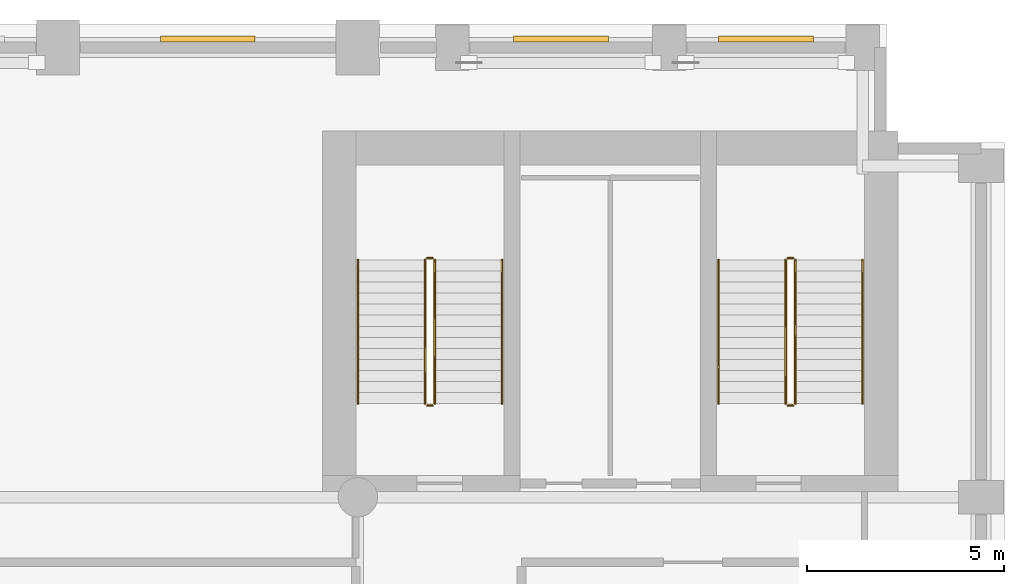
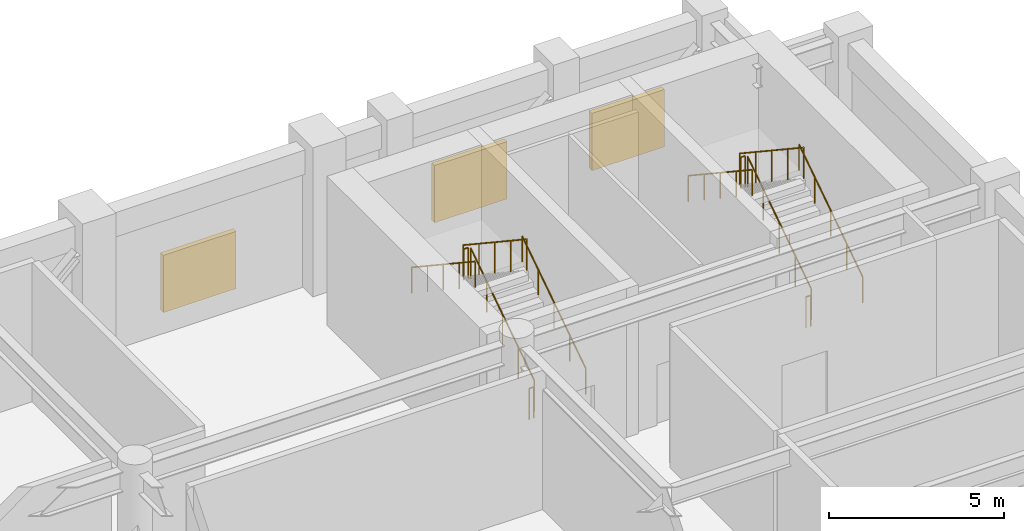
# One storey, part 11 of 11: 12 railings, 3 shading devices.
"""IFC4 building model written with IfcOpenShell, lengths in metres."""

import ifcopenshell
import ifcopenshell.guid

model = None  # the IFC model being written
_history = None  # IfcOwnerHistory: only IFC2X3 demands one
_inside = {}  # id of a spatial element -> (the spatial element, [elements in it])
_under = {}  # id of a project, library or spatial element -> (it, [spatial elements below it])
_declared = {}  # id of a project -> (the project, [libraries it declares])
_typed = {}  # id of a type object -> (the type object, [elements of that type])
_made_of = {}  # id of a material, layer set ... -> (it, [elements and type objects made of it])


def new_model(schema):
    """Start an empty IFC model of exactly this schema.

    Asked for "IFC4X3", IfcOpenShell would pick the latest addendum, in which some entities
    have other attributes; the version numbers below select the first issue.
    IFC2X3 requires an IfcOwnerHistory on every rooted entity: one is made here for all.
    """
    global model, _history
    if schema == "IFC4X3":
        model = ifcopenshell.file(schema_version=(4, 3, 0, 0))
    else:
        model = ifcopenshell.file(schema=schema)
    _inside.clear()
    _under.clear()
    _declared.clear()
    _typed.clear()
    _made_of.clear()
    _history = None
    if model.schema == "IFC2X3":
        org = make("IfcOrganization", Name="unknown")
        user = make(
            "IfcPersonAndOrganization",
            ThePerson=make("IfcPerson", FamilyName="unknown"),
            TheOrganization=org,
        )
        app = make(
            "IfcApplication",
            ApplicationDeveloper=org,
            Version="unknown",
            ApplicationFullName="unknown",
            ApplicationIdentifier="unknown",
        )
        _history = make(
            "IfcOwnerHistory",
            OwningUser=user,
            OwningApplication=app,
            ChangeAction="ADDED",
            CreationDate=0,
        )
    return model


def make(cls, **values):
    """One entity of the class cls with the attributes given. An attribute that is None is left unset."""
    return model.create_entity(
        cls, **{name: value for name, value in values.items() if value is not None}
    )


def rooted(cls, **values):
    """An entity with a GlobalId (a new one), such as an element, a storey or a relation."""
    return make(cls, GlobalId=ifcopenshell.guid.new(), OwnerHistory=_history, **values)


def si_unit(unit_type, name, prefix=None):
    """IfcSIUnit, for example si_unit("LENGTHUNIT", "METRE", prefix="MILLI")."""
    return make("IfcSIUnit", UnitType=unit_type, Prefix=prefix, Name=name)


def assignment(units):
    """IfcUnitAssignment: the units of a project."""
    return None if units is None else make("IfcUnitAssignment", Units=units)


def point(xyz):
    """IfcCartesianPoint."""
    return None if xyz is None else make("IfcCartesianPoint", Coordinates=xyz)


def direction(xyz):
    """IfcDirection."""
    return None if xyz is None else make("IfcDirection", DirectionRatios=xyz)


def frame(location, z_axis=None, x_axis=None):
    """IfcAxis2Placement3D, a coordinate frame: its origin and axes. An axis left out is left unset."""
    return make(
        "IfcAxis2Placement3D",
        Location=point(location),
        Axis=direction(z_axis),
        RefDirection=direction(x_axis),
    )


def frame_2d(location, x_axis=None):
    """IfcAxis2Placement2D, a coordinate frame in the plane: its origin and x axis."""
    return make(
        "IfcAxis2Placement2D", Location=point(location), RefDirection=direction(x_axis)
    )


def origin():
    """The frame at (0, 0, 0) with its axes left unset."""
    return frame((0.0, 0.0, 0.0))


def origin_2d():
    """The frame at (0, 0) in the plane with its x axis left unset."""
    return frame_2d((0.0, 0.0))


def place(relative_to, where):
    """IfcLocalPlacement: puts the frame where relative to a parent placement (None: the world)."""
    return make(
        "IfcLocalPlacement", PlacementRelTo=relative_to, RelativePlacement=where
    )


def context(
    kind, dimensions, precision=None, world=None, true_north=None, identifier=None
):
    """IfcGeometricRepresentationContext, for example the 3D "Model" context."""
    return make(
        "IfcGeometricRepresentationContext",
        ContextIdentifier=identifier,
        ContextType=kind,
        CoordinateSpaceDimension=dimensions,
        Precision=precision,
        WorldCoordinateSystem=world,
        TrueNorth=true_north,
    )


def subcontext(parent, identifier, kind, view, scale=None):
    """IfcGeometricRepresentationSubContext, for example "Body" below "Model"."""
    return make(
        "IfcGeometricRepresentationSubContext",
        ContextIdentifier=identifier,
        ContextType=kind,
        ParentContext=parent,
        TargetScale=scale,
        TargetView=view,
    )


def project(units=None, contexts=None):
    """IfcProject with its units and contexts."""
    return rooted(
        "IfcProject",
        Name="project",
        RepresentationContexts=contexts,
        UnitsInContext=assignment(units),
    )


def spatial(cls, under=None, at=None, **own):
    """A site, building, storey or space (cls), placed at a placement, below another one or the project."""
    s = rooted(cls, ObjectPlacement=at, **own)
    if under is not None:
        _under.setdefault(under.id(), (under, []))[1].append(s)
    return s


def profile(cls, at=None, kind="AREA", **sizes):
    """A parametric profile (cls). Its sizes go by their IFC names, for example OverallWidth=200.0."""
    return make(cls, ProfileType=kind, Position=at, **sizes)


def rectangle(**sizes):
    """IfcRectangleProfileDef."""
    return profile("IfcRectangleProfileDef", **sizes)


def circle(**sizes):
    """IfcCircleProfileDef."""
    return profile("IfcCircleProfileDef", **sizes)


def extrude(swept, where, along, depth):
    """IfcExtrudedAreaSolid: the profile swept, set in the frame where, extruded along a direction by depth."""
    return make(
        "IfcExtrudedAreaSolid",
        SweptArea=swept,
        Position=where,
        ExtrudedDirection=direction(along),
        Depth=depth,
    )


def shape(context_of_items, identifier, shape_type, items):
    """IfcShapeRepresentation: the items that make up one representation, for example the "Body"."""
    return make(
        "IfcShapeRepresentation",
        ContextOfItems=context_of_items,
        RepresentationIdentifier=identifier,
        RepresentationType=shape_type,
        Items=items,
    )


def material(Name=None, Category=None):
    """IfcMaterial."""
    return make("IfcMaterial", Name=Name, Category=Category)


def made_of(thing, what):
    """Note that an element or type object is made of a material, layer set ...; save() writes the relation."""
    if what is not None:
        _made_of.setdefault(what.id(), (what, []))[1].append(thing)
    return thing


def type_object(cls, material=None, **own):
    """A type object (cls), such as IfcWallType, which elements share."""
    return made_of(rooted(cls, **own), material)


def element(
    cls,
    number,
    at=None,
    inside=None,
    cuts=None,
    type_object=None,
    material=None,
    context=None,
    identifier="Body",
    shape_type=None,
    held_by="IfcProductDefinitionShape",
    body=None,
    shapes=None,
    **own,
):
    """One element of the class cls, such as IfcWall. Its Tag is "e" and its number.

    at: its placement. inside: the storey or other place that contains it. cuts: it is an
    opening in that element (IfcRelVoidsElement). A single representation is given by context,
    identifier, shape_type and body (its items); several are given by shapes. held_by: the class
    of the entity that holds the representations. save() writes the other relations.
    """
    e = rooted(cls, Tag="e%d" % number, ObjectPlacement=at, **own)
    if body is not None:
        shapes = [shape(context, identifier, shape_type, body)]
    if shapes is not None:
        e.Representation = make(held_by, Representations=shapes)
    if inside is not None:
        _inside.setdefault(inside.id(), (inside, []))[1].append(e)
    if cuts is not None:
        rooted(
            "IfcRelVoidsElement", RelatingBuildingElement=cuts, RelatedOpeningElement=e
        )
    if type_object is not None:
        _typed.setdefault(type_object.id(), (type_object, []))[1].append(e)
    return made_of(e, material)


def aggregate(whole, parts):
    """IfcRelAggregates: a whole, such as a stair, and the parts it consists of."""
    return rooted("IfcRelAggregates", RelatingObject=whole, RelatedObjects=parts)


def save(model, path):
    """Write the relations noted so far, then the file.

    IfcRelAggregates (storeys below a building ...), IfcRelContainedInSpatialStructure (elements
    in a storey), IfcRelDefinesByType, IfcRelAssociatesMaterial and IfcRelDeclares: one each for
    every whole, place, type object, material and project.
    """
    for whole, parts in _under.values():
        aggregate(whole, parts)
    for where, things in _inside.values():
        rooted(
            "IfcRelContainedInSpatialStructure",
            RelatedElements=things,
            RelatingStructure=where,
        )
    for kind, things in _typed.values():
        rooted("IfcRelDefinesByType", RelatedObjects=things, RelatingType=kind)
    for what, things in _made_of.values():
        rooted("IfcRelAssociatesMaterial", RelatedObjects=things, RelatingMaterial=what)
    for by, libraries in _declared.values():
        rooted("IfcRelDeclares", RelatingContext=by, RelatedDefinitions=libraries)
    model.write(path)


model = new_model("IFC4")

# Units and contexts
model_context = context("Model", 3, precision=1e-05, world=origin(), true_north=direction((0.0, 1.0)))
body_context = subcontext(model_context, "Body", "Model", "MODEL_VIEW")
ifc_project = project(units=[si_unit("LENGTHUNIT", "METRE"), si_unit("AREAUNIT", "SQUARE_METRE"), si_unit("VOLUMEUNIT", "CUBIC_METRE"), si_unit("PLANEANGLEUNIT", "RADIAN"), si_unit("MASSUNIT", "GRAM", prefix="KILO")], contexts=[model_context])

# Site, building, storey
site_placement = place(None, origin())
site = spatial("IfcSite", under=ifc_project, at=site_placement, CompositionType="ELEMENT")
building_placement = place(site_placement, origin())
building = spatial("IfcBuilding", under=site, at=building_placement, Name="Sulina Concourse Tower", CompositionType="ELEMENT")
storey_placement = place(building_placement, frame((0.0, 0.0, 82.60009765625)))
storey = spatial("IfcBuildingStorey", under=building, at=storey_placement, Name="L20", CompositionType="ELEMENT", Elevation=82.60009765625)

# Railings
ifc_material_1 = material(Name="Galvanised steel railing", Category="steel")
railing_type_1 = type_object("IfcRailingType", Name="Core Stair Steel Guardrail 1150mm", PredefinedType="GUARDRAIL", material=ifc_material_1)
railing_1_placement = place(storey_placement, frame((43.554931640625, 36.375, 0.185546875)))
element("IfcRailing", 1, at=railing_1_placement, inside=storey, type_object=railing_type_1, Name="L20 ST-3 stair guard 1", PredefinedType="GUARDRAIL", context=body_context, shape_type="SweptSolid", body=[
    extrude(circle(Radius=0.02392578125, at=origin_2d()), frame((0.0, 0.0, 1.076171875), z_axis=(0.0, 0.833346510843, 0.552750932036), x_axis=(-1.0, 0.0, 0.0)), (0.0, 0.0, 1.0), 4.367919921875),
    extrude(circle(Radius=0.02099609375, at=origin_2d()), origin(), (0.0, 0.0, 1.0), 1.052001953125),
    extrude(circle(Radius=0.02099609375, at=origin_2d()), frame((0.0, 0.909912109375, 0.603515625)), (0.0, 0.0, 1.0), 1.052001953125),
    extrude(circle(Radius=0.02099609375, at=origin_2d()), frame((0.0, 1.81982421875, 1.20703125)), (0.0, 0.0, 1.0), 1.052001953125),
    extrude(circle(Radius=0.02099609375, at=origin_2d()), frame((0.0, 2.72998046875, 1.810791015625)), (0.0, 0.0, 1.0), 1.052001953125),
    extrude(circle(Radius=0.02099609375, at=origin_2d()), frame((0.0, 3.639892578125, 2.414306640625)), (0.0, 0.0, 1.0), 1.052001953125),
])
railing_2_placement = place(storey_placement, frame((43.5048828125, 40.06494140625, 2.599853515625)))
element("IfcRailing", 2, at=railing_2_placement, inside=storey, type_object=railing_type_1, Name="L20 ST-3 stair guard 2", PredefinedType="GUARDRAIL", context=body_context, shape_type="SweptSolid", body=[
    extrude(circle(Radius=0.02392578125, at=origin_2d()), frame((0.0, 0.0, 1.076171875), z_axis=(-1.0, 0.0, 0.0), x_axis=(0.0, -1.0, 0.0)), (0.0, 0.0, 1.0), 0.14990234375),
    extrude(circle(Radius=0.02099609375, at=origin_2d()), origin(), (0.0, 0.0, 1.0), 1.052001953125),
    extrude(circle(Radius=0.02099609375, at=origin_2d()), frame((-0.14990234375, 0.0, 0.0)), (0.0, 0.0, 1.0), 1.052001953125),
])
railing_3_placement = place(storey_placement, frame((43.304931640625, 40.014892578125, 2.78564453125)))
element("IfcRailing", 3, at=railing_3_placement, inside=storey, type_object=railing_type_1, Name="L20 ST-3 stair guard 3", PredefinedType="GUARDRAIL", context=body_context, shape_type="SweptSolid", body=[
    extrude(circle(Radius=0.02392578125, at=origin_2d()), frame((0.0, 0.0, 1.076171875), z_axis=(0.0, -0.833346510843, 0.552750932036), x_axis=(1.0, 0.0, 0.0)), (0.0, 0.0, 1.0), 4.367919921875),
    extrude(circle(Radius=0.02099609375, at=origin_2d()), origin(), (0.0, 0.0, 1.0), 1.052001953125),
    extrude(circle(Radius=0.02099609375, at=origin_2d()), frame((0.0, -0.909912109375, 0.603515625)), (0.0, 0.0, 1.0), 1.052001953125),
    extrude(circle(Radius=0.02099609375, at=origin_2d()), frame((0.0, -1.81982421875, 1.20703125)), (0.0, 0.0, 1.0), 1.052001953125),
    extrude(circle(Radius=0.02099609375, at=origin_2d()), frame((0.0, -2.72998046875, 1.810791015625)), (0.0, 0.0, 1.0), 1.052001953125),
    extrude(circle(Radius=0.02099609375, at=origin_2d()), frame((0.0, -3.639892578125, 2.414306640625)), (0.0, 0.0, 1.0), 1.052001953125),
])
railing_4_placement = place(storey_placement, frame((43.5048828125, 36.324951171875, 0.0)))
element("IfcRailing", 4, at=railing_4_placement, inside=storey, type_object=railing_type_1, Name="L20 ST-3 stair guard 4", PredefinedType="GUARDRAIL", context=body_context, shape_type="SweptSolid", body=[
    extrude(circle(Radius=0.02392578125, at=origin_2d()), frame((0.0, 0.0, 1.076171875), z_axis=(-1.0, 0.0, 0.0), x_axis=(0.0, -1.0, 0.0)), (0.0, 0.0, 1.0), 0.14990234375),
    extrude(circle(Radius=0.02099609375, at=origin_2d()), origin(), (0.0, 0.0, 1.0), 1.052001953125),
    extrude(circle(Radius=0.02099609375, at=origin_2d()), frame((-0.14990234375, 0.0, 0.0)), (0.0, 0.0, 1.0), 1.052001953125),
])
railing_5_placement = place(storey_placement, frame((52.695068359375, 36.375, 0.185546875)))
element("IfcRailing", 5, at=railing_5_placement, inside=storey, type_object=railing_type_1, Name="L20 ST-4 stair guard 1", PredefinedType="GUARDRAIL", context=body_context, shape_type="SweptSolid", body=[
    extrude(circle(Radius=0.02392578125, at=origin_2d()), frame((0.0, 0.0, 1.076171875), z_axis=(0.0, 0.833346510843, 0.552750932036), x_axis=(-1.0, 0.0, 0.0)), (0.0, 0.0, 1.0), 4.367919921875),
    extrude(circle(Radius=0.02099609375, at=origin_2d()), origin(), (0.0, 0.0, 1.0), 1.052001953125),
    extrude(circle(Radius=0.02099609375, at=origin_2d()), frame((0.0, 0.909912109375, 0.603515625)), (0.0, 0.0, 1.0), 1.052001953125),
    extrude(circle(Radius=0.02099609375, at=origin_2d()), frame((0.0, 1.81982421875, 1.20703125)), (0.0, 0.0, 1.0), 1.052001953125),
    extrude(circle(Radius=0.02099609375, at=origin_2d()), frame((0.0, 2.72998046875, 1.810791015625)), (0.0, 0.0, 1.0), 1.052001953125),
    extrude(circle(Radius=0.02099609375, at=origin_2d()), frame((0.0, 3.639892578125, 2.414306640625)), (0.0, 0.0, 1.0), 1.052001953125),
])
railing_6_placement = place(storey_placement, frame((52.64501953125, 40.06494140625, 2.599853515625)))
element("IfcRailing", 6, at=railing_6_placement, inside=storey, type_object=railing_type_1, Name="L20 ST-4 stair guard 2", PredefinedType="GUARDRAIL", context=body_context, shape_type="SweptSolid", body=[
    extrude(circle(Radius=0.02392578125, at=origin_2d()), frame((0.0, 0.0, 1.076171875), z_axis=(-1.0, 0.0, 0.0), x_axis=(0.0, -1.0, 0.0)), (0.0, 0.0, 1.0), 0.14990234375),
    extrude(circle(Radius=0.02099609375, at=origin_2d()), origin(), (0.0, 0.0, 1.0), 1.052001953125),
    extrude(circle(Radius=0.02099609375, at=origin_2d()), frame((-0.14990234375, 0.0, 0.0)), (0.0, 0.0, 1.0), 1.052001953125),
])
railing_7_placement = place(storey_placement, frame((52.445068359375, 40.014892578125, 2.78564453125)))
element("IfcRailing", 7, at=railing_7_placement, inside=storey, type_object=railing_type_1, Name="L20 ST-4 stair guard 3", PredefinedType="GUARDRAIL", context=body_context, shape_type="SweptSolid", body=[
    extrude(circle(Radius=0.02392578125, at=origin_2d()), frame((0.0, 0.0, 1.076171875), z_axis=(0.0, -0.833346510843, 0.552750932036), x_axis=(1.0, 0.0, 0.0)), (0.0, 0.0, 1.0), 4.367919921875),
    extrude(circle(Radius=0.02099609375, at=origin_2d()), origin(), (0.0, 0.0, 1.0), 1.052001953125),
    extrude(circle(Radius=0.02099609375, at=origin_2d()), frame((0.0, -0.909912109375, 0.603515625)), (0.0, 0.0, 1.0), 1.052001953125),
    extrude(circle(Radius=0.02099609375, at=origin_2d()), frame((0.0, -1.81982421875, 1.20703125)), (0.0, 0.0, 1.0), 1.052001953125),
    extrude(circle(Radius=0.02099609375, at=origin_2d()), frame((0.0, -2.72998046875, 1.810791015625)), (0.0, 0.0, 1.0), 1.052001953125),
    extrude(circle(Radius=0.02099609375, at=origin_2d()), frame((0.0, -3.639892578125, 2.414306640625)), (0.0, 0.0, 1.0), 1.052001953125),
])
railing_8_placement = place(storey_placement, frame((52.64501953125, 36.324951171875, 0.0)))
element("IfcRailing", 8, at=railing_8_placement, inside=storey, type_object=railing_type_1, Name="L20 ST-4 stair guard 4", PredefinedType="GUARDRAIL", context=body_context, shape_type="SweptSolid", body=[
    extrude(circle(Radius=0.02392578125, at=origin_2d()), frame((0.0, 0.0, 1.076171875), z_axis=(-1.0, 0.0, 0.0), x_axis=(0.0, -1.0, 0.0)), (0.0, 0.0, 1.0), 0.14990234375),
    extrude(circle(Radius=0.02099609375, at=origin_2d()), origin(), (0.0, 0.0, 1.0), 1.052001953125),
    extrude(circle(Radius=0.02099609375, at=origin_2d()), frame((-0.14990234375, 0.0, 0.0)), (0.0, 0.0, 1.0), 1.052001953125),
])

# Shading devices
ifc_material_2 = material(Name="Anodised bronze aluminium", Category="aluminium")
shading_device_type = type_object("IfcShadingDeviceType", Name="Plant Room Acoustic Weather Louvre Bank", PredefinedType="JALOUSIE", material=ifc_material_2)
for number, where, z_axis, x_axis, name in (
    (9, (37.800048828125, 45.6201171875, 0.5), (0.0, 0.0, 1.0), (1.0, 0.0, 0.0), "L20 acoustic weather louvre N7"),
    (10, (46.75, 45.6201171875, 0.5), (0.0, 0.0, 1.0), (1.0, 0.0, 0.0), "L20 acoustic weather louvre N9"),
    (11, (51.949951171875, 45.6201171875, 0.5), (0.0, 0.0, 1.0), (1.0, 0.0, 0.0), "L20 acoustic weather louvre N10"),
):
    element("IfcShadingDevice", number, at=place(storey_placement, frame(where, z_axis=z_axis, x_axis=x_axis)), inside=storey, type_object=shading_device_type, Name=name, PredefinedType="JALOUSIE", context=body_context, shape_type="SweptSolid", body=[
        extrude(rectangle(XDim=2.39990234375, YDim=0.159912109375, at=origin_2d()), origin(), (0.0, 0.0, 1.0), 2.0),
    ])

# Railings
ifc_material_3 = material(Name="Galvanised steel railing", Category="steel")
railing_type_2 = type_object("IfcRailingType", Name="Stair Wall Steel Handrail 920mm", PredefinedType="HANDRAIL", material=ifc_material_3)
railing_9_placement = place(storey_placement, frame((45.2548828125, 36.375, 0.185546875)))
element("IfcRailing", 12, at=railing_9_placement, inside=storey, type_object=railing_type_2, Name="L20 ST-3 stair handrail 1", PredefinedType="HANDRAIL", context=body_context, shape_type="SweptSolid", body=[
    extrude(circle(Radius=0.02392578125, at=origin_2d()), frame((0.0, 0.0, 0.89599609375), z_axis=(0.0, 0.833346510843, 0.552750932036), x_axis=(-1.0, 0.0, 0.0)), (0.0, 0.0, 1.0), 4.367919921875),
    extrude(circle(Radius=0.02099609375, at=origin_2d()), origin(), (0.0, 0.0, 1.0), 0.871826171875),
    extrude(circle(Radius=0.02099609375, at=origin_2d()), frame((0.0, 0.909912109375, 0.603515625)), (0.0, 0.0, 1.0), 0.871826171875),
    extrude(circle(Radius=0.02099609375, at=origin_2d()), frame((0.0, 1.81982421875, 1.20703125)), (0.0, 0.0, 1.0), 0.871826171875),
    extrude(circle(Radius=0.02099609375, at=origin_2d()), frame((0.0, 2.72998046875, 1.810791015625)), (0.0, 0.0, 1.0), 0.871826171875),
    extrude(circle(Radius=0.02099609375, at=origin_2d()), frame((0.0, 3.639892578125, 2.414306640625)), (0.0, 0.0, 1.0), 0.871826171875),
])
railing_10_placement = place(storey_placement, frame((41.60498046875, 40.014892578125, 2.78564453125)))
element("IfcRailing", 13, at=railing_10_placement, inside=storey, type_object=railing_type_2, Name="L20 ST-3 stair handrail 2", PredefinedType="HANDRAIL", context=body_context, shape_type="SweptSolid", body=[
    extrude(circle(Radius=0.02392578125, at=origin_2d()), frame((0.0, 0.0, 0.89599609375), z_axis=(0.0, -0.833346510843, 0.552750932036), x_axis=(1.0, 0.0, 0.0)), (0.0, 0.0, 1.0), 4.367919921875),
    extrude(circle(Radius=0.02099609375, at=origin_2d()), origin(), (0.0, 0.0, 1.0), 0.871826171875),
    extrude(circle(Radius=0.02099609375, at=origin_2d()), frame((0.0, -0.909912109375, 0.603515625)), (0.0, 0.0, 1.0), 0.871826171875),
    extrude(circle(Radius=0.02099609375, at=origin_2d()), frame((0.0, -1.81982421875, 1.20703125)), (0.0, 0.0, 1.0), 0.871826171875),
    extrude(circle(Radius=0.02099609375, at=origin_2d()), frame((0.0, -2.72998046875, 1.810791015625)), (0.0, 0.0, 1.0), 0.871826171875),
    extrude(circle(Radius=0.02099609375, at=origin_2d()), frame((0.0, -3.639892578125, 2.414306640625)), (0.0, 0.0, 1.0), 0.871826171875),
])
railing_11_placement = place(storey_placement, frame((54.39501953125, 36.375, 0.185546875)))
element("IfcRailing", 14, at=railing_11_placement, inside=storey, type_object=railing_type_2, Name="L20 ST-4 stair handrail 1", PredefinedType="HANDRAIL", context=body_context, shape_type="SweptSolid", body=[
    extrude(circle(Radius=0.02392578125, at=origin_2d()), frame((0.0, 0.0, 0.89599609375), z_axis=(0.0, 0.833346510843, 0.552750932036), x_axis=(-1.0, 0.0, 0.0)), (0.0, 0.0, 1.0), 4.367919921875),
    extrude(circle(Radius=0.02099609375, at=origin_2d()), origin(), (0.0, 0.0, 1.0), 0.871826171875),
    extrude(circle(Radius=0.02099609375, at=origin_2d()), frame((0.0, 0.909912109375, 0.603515625)), (0.0, 0.0, 1.0), 0.871826171875),
    extrude(circle(Radius=0.02099609375, at=origin_2d()), frame((0.0, 1.81982421875, 1.20703125)), (0.0, 0.0, 1.0), 0.871826171875),
    extrude(circle(Radius=0.02099609375, at=origin_2d()), frame((0.0, 2.72998046875, 1.810791015625)), (0.0, 0.0, 1.0), 0.871826171875),
    extrude(circle(Radius=0.02099609375, at=origin_2d()), frame((0.0, 3.639892578125, 2.414306640625)), (0.0, 0.0, 1.0), 0.871826171875),
])
railing_12_placement = place(storey_placement, frame((50.7451171875, 40.014892578125, 2.78564453125)))
element("IfcRailing", 15, at=railing_12_placement, inside=storey, type_object=railing_type_2, Name="L20 ST-4 stair handrail 2", PredefinedType="HANDRAIL", context=body_context, shape_type="SweptSolid", body=[
    extrude(circle(Radius=0.02392578125, at=origin_2d()), frame((0.0, 0.0, 0.89599609375), z_axis=(0.0, -0.833346510843, 0.552750932036), x_axis=(1.0, 0.0, 0.0)), (0.0, 0.0, 1.0), 4.367919921875),
    extrude(circle(Radius=0.02099609375, at=origin_2d()), origin(), (0.0, 0.0, 1.0), 0.871826171875),
    extrude(circle(Radius=0.02099609375, at=origin_2d()), frame((0.0, -0.909912109375, 0.603515625)), (0.0, 0.0, 1.0), 0.871826171875),
    extrude(circle(Radius=0.02099609375, at=origin_2d()), frame((0.0, -1.81982421875, 1.20703125)), (0.0, 0.0, 1.0), 0.871826171875),
    extrude(circle(Radius=0.02099609375, at=origin_2d()), frame((0.0, -2.72998046875, 1.810791015625)), (0.0, 0.0, 1.0), 0.871826171875),
    extrude(circle(Radius=0.02099609375, at=origin_2d()), frame((0.0, -3.639892578125, 2.414306640625)), (0.0, 0.0, 1.0), 0.871826171875),
])

save(model, "model.ifc")
